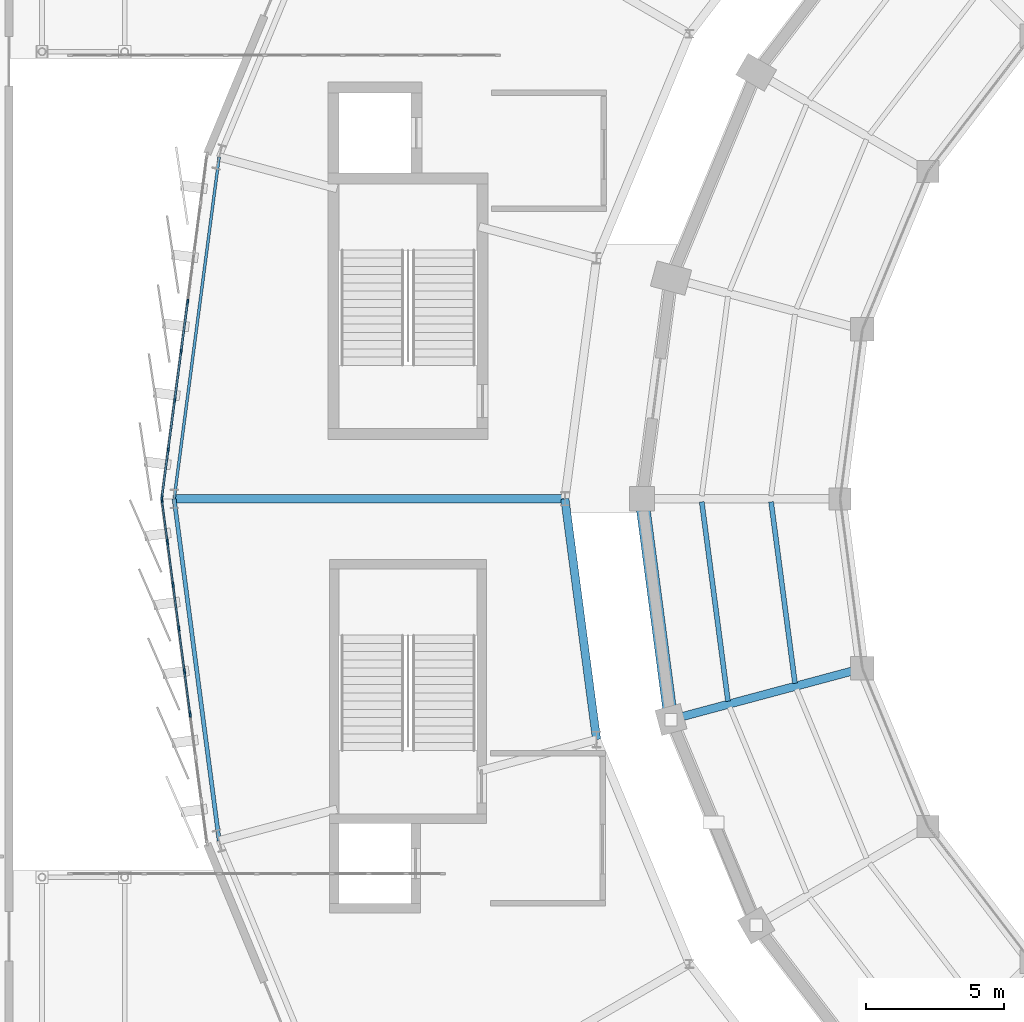
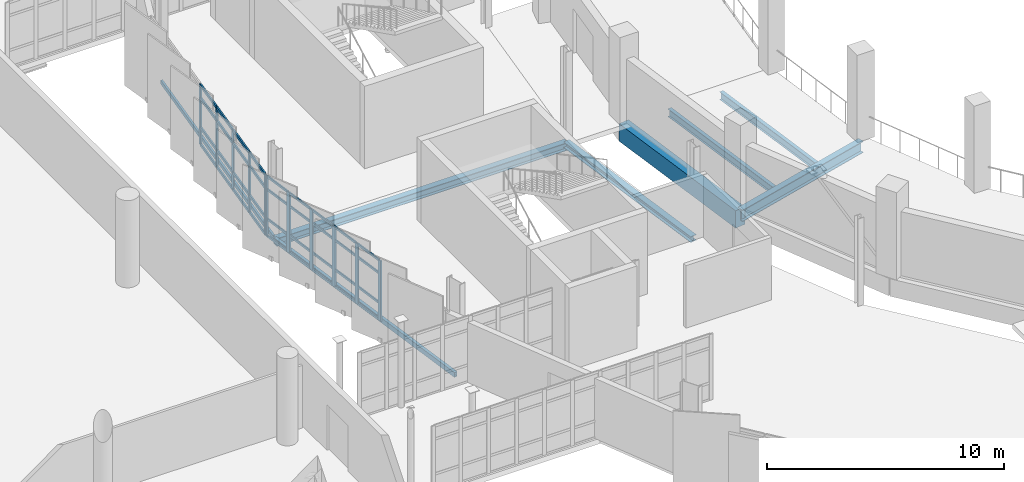
# One storey, part 48 of 125: 47 members, 8 beams, 2 elements without a shape of their own.
"""IFC4 building model written with IfcOpenShell, lengths in metres."""

from ifc_helpers import new_model, si_unit, direction, frame, origin, origin_2d, place, context, subcontext, project, spatial, rectangle, hollow_rectangle, i_section, extrude, material, layer, layer_set, material_profile, profile_set, type_object, element, aggregate, save


model = new_model("IFC4")

# Units and contexts
model_context = context("Model", 3, precision=1e-05, world=origin(), true_north=direction((0.0, 1.0)))
body_context = subcontext(model_context, "Body", "Model", "MODEL_VIEW")
ifc_project = project(units=[si_unit("LENGTHUNIT", "METRE"), si_unit("AREAUNIT", "SQUARE_METRE"), si_unit("VOLUMEUNIT", "CUBIC_METRE"), si_unit("PLANEANGLEUNIT", "RADIAN"), si_unit("MASSUNIT", "GRAM", prefix="KILO")], contexts=[model_context])

# Site, building, storey
site_placement = place(None, origin())
site = spatial("IfcSite", under=ifc_project, at=site_placement, CompositionType="ELEMENT")
building_placement = place(site_placement, origin())
building = spatial("IfcBuilding", under=site, at=building_placement, Name="Sohan Crest Arena", CompositionType="ELEMENT")
storey_placement = place(building_placement, frame((0.0, 0.0, 9.0)))
storey = spatial("IfcBuildingStorey", under=building, at=storey_placement, Name="L02", CompositionType="ELEMENT", Elevation=9.0)

# Curtain wall, members
ifc_material_1 = material(Name="Thermally broken anodised aluminium", Category="aluminium")
ifc_layer_1 = layer(ifc_material_1, 0.2099609375, Name="Thermally broken anodised aluminium")
ifc_layer_set_1 = layer_set([ifc_layer_1], Name="Thermally broken anodised aluminium")
curtain_wall_type_1 = type_object("IfcCurtainWallType", Name="ARC-CW06", PredefinedType="NOTDEFINED", material=ifc_layer_set_1)
curtain_wall_1_placement = place(storey_placement, origin())
curtain_wall_1 = element("IfcCurtainWall", 1, at=curtain_wall_1_placement, inside=storey, type_object=curtain_wall_type_1, Name="Unitised curtain wall CW-054", PredefinedType="NOTDEFINED")
ifc_material_profile_1 = material_profile(ifc_material_1, rectangle(XDim=0.06494140625, YDim=0.179931640625, at=origin_2d()), Name="ALU-MULL 65x180")
ifc_profile_set_1 = profile_set([ifc_material_profile_1], Name="Thermally broken anodised aluminium")
member_type_1 = type_object("IfcMemberType", Name="ARC-CW-ML02", PredefinedType="MULLION", material=ifc_profile_set_1)
member_1_placement = place(storey_placement, frame((50.493408203125, 85.165771484375, 0.0), z_axis=(0.0, 0.0, 1.0), x_axis=(0.991444066575, -0.130532229177, 0.0)))
member_1 = element("IfcMember", 2, at=member_1_placement, type_object=member_type_1, Name="CW-054 mullion 4", PredefinedType="MULLION", context=body_context, shape_type="SweptSolid", body=[
    extrude(rectangle(XDim=0.06494140625, YDim=0.179931640625, at=origin_2d()), origin(), (0.0, 0.0, 1.0), 3.1201171875),
])
member_2_placement = place(storey_placement, frame((50.257568359375, 83.374267578125, 0.0), z_axis=(0.0, 0.0, 1.0), x_axis=(0.991444066575, -0.130532229177, 0.0)))
member_2 = element("IfcMember", 3, at=member_2_placement, type_object=member_type_1, Name="CW-054 mullion 5", PredefinedType="MULLION", context=body_context, shape_type="SweptSolid", body=[
    extrude(rectangle(XDim=0.06494140625, YDim=0.179931640625, at=origin_2d()), origin(), (0.0, 0.0, 1.0), 3.1201171875),
])
member_3_placement = place(storey_placement, frame((50.021728515625, 81.582763671875, 0.0), z_axis=(0.0, 0.0, 1.0), x_axis=(0.991444066575, -0.130532229177, 0.0)))
member_3 = element("IfcMember", 4, at=member_3_placement, type_object=member_type_1, Name="CW-054 mullion 6", PredefinedType="MULLION", context=body_context, shape_type="SweptSolid", body=[
    extrude(rectangle(XDim=0.06494140625, YDim=0.179931640625, at=origin_2d()), origin(), (0.0, 0.0, 1.0), 3.1201171875),
])
member_4_placement = place(storey_placement, frame((49.785888671875, 79.79150390625, 0.0), z_axis=(0.0, 0.0, 1.0), x_axis=(0.991444066575, -0.130532229177, 0.0)))
member_4 = element("IfcMember", 5, at=member_4_placement, type_object=member_type_1, Name="CW-054 mullion 7", PredefinedType="MULLION", context=body_context, shape_type="SweptSolid", body=[
    extrude(rectangle(XDim=0.06494140625, YDim=0.179931640625, at=origin_2d()), origin(), (0.0, 0.0, 1.0), 3.1201171875),
])
member_5_placement = place(storey_placement, frame((49.55419921875, 78.0322265625, 0.0), z_axis=(0.0, 0.0, 1.0), x_axis=(0.991444066575, -0.130532229177, 0.0)))
member_5 = element("IfcMember", 6, at=member_5_placement, type_object=member_type_1, Name="CW-054 mullion 8", PredefinedType="MULLION", context=body_context, shape_type="SweptSolid", body=[
    extrude(rectangle(XDim=0.06494140625, YDim=0.179931640625, at=origin_2d()), origin(), (0.0, 0.0, 1.0), 3.1201171875),
])

ifc_layer_2 = layer(ifc_material_1, 0.179931640625, Name="Thermally broken anodised aluminium")
ifc_layer_set_2 = layer_set([ifc_layer_2], Name="Thermally broken anodised aluminium")
curtain_wall_type_2 = type_object("IfcCurtainWallType", Name="ARC-CW01", PredefinedType="NOTDEFINED", material=ifc_layer_set_2)
curtain_wall_2_placement = place(storey_placement, origin())
curtain_wall_2 = element("IfcCurtainWall", 7, at=curtain_wall_2_placement, inside=storey, type_object=curtain_wall_type_2, Name="Unitised curtain wall CW-055", PredefinedType="NOTDEFINED")
ifc_material_profile_2 = material_profile(ifc_material_1, rectangle(XDim=0.070068359375, YDim=0.199951171875, at=origin_2d()), Name="ALU-MULL 70x200")
ifc_profile_set_2 = profile_set([ifc_material_profile_2], Name="Thermally broken anodised aluminium")
member_type_2 = type_object("IfcMemberType", Name="ARC-CW-ML03", PredefinedType="MULLION", material=ifc_profile_set_2)
member_6_placement = place(storey_placement, frame((49.5546875, 77.96533203125, 0.0), z_axis=(0.0, 0.0, 1.0), x_axis=(0.991444066575, 0.130532229177, 0.0)))
member_6 = element("IfcMember", 8, at=member_6_placement, type_object=member_type_2, Name="CW-055 mullion 1", PredefinedType="MULLION", context=body_context, shape_type="SweptSolid", body=[
    extrude(rectangle(XDim=0.070068359375, YDim=0.199951171875, at=origin_2d()), origin(), (0.0, 0.0, 1.0), 3.1201171875),
])
member_7_placement = place(storey_placement, frame((49.75634765625, 76.4326171875, 0.0), z_axis=(0.0, 0.0, 1.0), x_axis=(0.991444066575, 0.130532229177, 0.0)))
member_7 = element("IfcMember", 9, at=member_7_placement, type_object=member_type_2, Name="CW-055 mullion 2", PredefinedType="MULLION", context=body_context, shape_type="SweptSolid", body=[
    extrude(rectangle(XDim=0.070068359375, YDim=0.199951171875, at=origin_2d()), origin(), (0.0, 0.0, 1.0), 3.1201171875),
])
member_8_placement = place(storey_placement, frame((49.962646484375, 74.864990234375, 0.0), z_axis=(0.0, 0.0, 1.0), x_axis=(0.991444066575, 0.130532229177, 0.0)))
member_8 = element("IfcMember", 10, at=member_8_placement, type_object=member_type_2, Name="CW-055 mullion 3", PredefinedType="MULLION", context=body_context, shape_type="SweptSolid", body=[
    extrude(rectangle(XDim=0.070068359375, YDim=0.199951171875, at=origin_2d()), origin(), (0.0, 0.0, 1.0), 3.1201171875),
])
member_9_placement = place(storey_placement, frame((50.169189453125, 73.297607421875, 0.0), z_axis=(0.0, 0.0, 1.0), x_axis=(0.991444066575, 0.130532229177, 0.0)))
member_9 = element("IfcMember", 11, at=member_9_placement, type_object=member_type_2, Name="CW-055 mullion 4", PredefinedType="MULLION", context=body_context, shape_type="SweptSolid", body=[
    extrude(rectangle(XDim=0.070068359375, YDim=0.199951171875, at=origin_2d()), origin(), (0.0, 0.0, 1.0), 3.1201171875),
])
member_10_placement = place(storey_placement, frame((50.37548828125, 71.72998046875, 0.0), z_axis=(0.0, 0.0, 1.0), x_axis=(0.991444066575, 0.130532229177, 0.0)))
member_10 = element("IfcMember", 12, at=member_10_placement, type_object=member_type_2, Name="CW-055 mullion 5", PredefinedType="MULLION", context=body_context, shape_type="SweptSolid", body=[
    extrude(rectangle(XDim=0.070068359375, YDim=0.199951171875, at=origin_2d()), origin(), (0.0, 0.0, 1.0), 3.1201171875),
])
member_11_placement = place(storey_placement, frame((50.581787109375, 70.16259765625, 0.0), z_axis=(0.0, 0.0, 1.0), x_axis=(0.991444066575, 0.130532229177, 0.0)))
member_11 = element("IfcMember", 13, at=member_11_placement, type_object=member_type_2, Name="CW-055 mullion 6", PredefinedType="MULLION", context=body_context, shape_type="SweptSolid", body=[
    extrude(rectangle(XDim=0.070068359375, YDim=0.199951171875, at=origin_2d()), origin(), (0.0, 0.0, 1.0), 3.1201171875),
])
ifc_material_profile_3 = material_profile(ifc_material_1, rectangle(XDim=0.06005859375, YDim=0.1201171875, at=origin_2d()), Name="ALU-TRAN 60x120")
ifc_profile_set_3 = profile_set([ifc_material_profile_3], Name="Thermally broken anodised aluminium")
member_type_3 = type_object("IfcMemberType", Name="ARC-CW-TR01", PredefinedType="USERDEFINED", material=ifc_profile_set_3)
member_12_placement = place(storey_placement, frame((49.55908203125, 77.9306640625, 0.030029296875), z_axis=(0.130505857147, -0.991447538325, 0.0), x_axis=(0.991447538325, 0.130505857147, 0.0)))
member_12 = element("IfcMember", 14, at=member_12_placement, type_object=member_type_3, Name="CW-055 transom 1.1", ObjectType="TRANSOM", PredefinedType="USERDEFINED", context=body_context, shape_type="SweptSolid", body=[
    extrude(rectangle(XDim=0.06005859375, YDim=0.1201171875, at=origin_2d()), origin(), (0.0, 0.0, 1.0), 1.47607421875),
])
member_13_placement = place(storey_placement, frame((49.55908203125, 77.9306640625, 0.89990234375), z_axis=(0.130505857147, -0.991447538325, 0.0), x_axis=(0.991447538325, 0.130505857147, 0.0)))
member_13 = element("IfcMember", 15, at=member_13_placement, type_object=member_type_3, Name="CW-055 transom 1.2", ObjectType="TRANSOM", PredefinedType="USERDEFINED", context=body_context, shape_type="SweptSolid", body=[
    extrude(rectangle(XDim=0.06005859375, YDim=0.1201171875, at=origin_2d()), origin(), (0.0, 0.0, 1.0), 1.47607421875),
])
member_14_placement = place(storey_placement, frame((49.55908203125, 77.9306640625, 2.419921875), z_axis=(0.130505857147, -0.991447538325, 0.0), x_axis=(0.991447538325, 0.130505857147, 0.0)))
member_14 = element("IfcMember", 16, at=member_14_placement, type_object=member_type_3, Name="CW-055 transom 1.3", ObjectType="TRANSOM", PredefinedType="USERDEFINED", context=body_context, shape_type="SweptSolid", body=[
    extrude(rectangle(XDim=0.06005859375, YDim=0.1201171875, at=origin_2d()), origin(), (0.0, 0.0, 1.0), 1.47607421875),
])
member_15_placement = place(storey_placement, frame((49.55908203125, 77.9306640625, 3.090087890625), z_axis=(0.130505857147, -0.991447538325, 0.0), x_axis=(0.991447538325, 0.130505857147, 0.0)))
member_15 = element("IfcMember", 17, at=member_15_placement, type_object=member_type_3, Name="CW-055 transom 1.4", ObjectType="TRANSOM", PredefinedType="USERDEFINED", context=body_context, shape_type="SweptSolid", body=[
    extrude(rectangle(XDim=0.06005859375, YDim=0.1201171875, at=origin_2d()), origin(), (0.0, 0.0, 1.0), 1.47607421875),
])
member_16_placement = place(storey_placement, frame((49.760986328125, 76.397705078125, 0.030029296875), z_axis=(0.1305548243, -0.991441091468, 0.0), x_axis=(0.991441091468, 0.1305548243, 0.0)))
member_16 = element("IfcMember", 18, at=member_16_placement, type_object=member_type_3, Name="CW-055 transom 2.1", ObjectType="TRANSOM", PredefinedType="USERDEFINED", context=body_context, shape_type="SweptSolid", body=[
    extrude(rectangle(XDim=0.06005859375, YDim=0.1201171875, at=origin_2d()), origin(), (0.0, 0.0, 1.0), 1.510986328125),
])
member_17_placement = place(storey_placement, frame((49.760986328125, 76.397705078125, 0.89990234375), z_axis=(0.1305548243, -0.991441091468, 0.0), x_axis=(0.991441091468, 0.1305548243, 0.0)))
member_17 = element("IfcMember", 19, at=member_17_placement, type_object=member_type_3, Name="CW-055 transom 2.2", ObjectType="TRANSOM", PredefinedType="USERDEFINED", context=body_context, shape_type="SweptSolid", body=[
    extrude(rectangle(XDim=0.06005859375, YDim=0.1201171875, at=origin_2d()), origin(), (0.0, 0.0, 1.0), 1.510986328125),
])
member_18_placement = place(storey_placement, frame((49.760986328125, 76.397705078125, 2.419921875), z_axis=(0.1305548243, -0.991441091468, 0.0), x_axis=(0.991441091468, 0.1305548243, 0.0)))
member_18 = element("IfcMember", 20, at=member_18_placement, type_object=member_type_3, Name="CW-055 transom 2.3", ObjectType="TRANSOM", PredefinedType="USERDEFINED", context=body_context, shape_type="SweptSolid", body=[
    extrude(rectangle(XDim=0.06005859375, YDim=0.1201171875, at=origin_2d()), origin(), (0.0, 0.0, 1.0), 1.510986328125),
])
member_19_placement = place(storey_placement, frame((49.760986328125, 76.397705078125, 3.090087890625), z_axis=(0.1305548243, -0.991441091468, 0.0), x_axis=(0.991441091468, 0.1305548243, 0.0)))
member_19 = element("IfcMember", 21, at=member_19_placement, type_object=member_type_3, Name="CW-055 transom 2.4", ObjectType="TRANSOM", PredefinedType="USERDEFINED", context=body_context, shape_type="SweptSolid", body=[
    extrude(rectangle(XDim=0.06005859375, YDim=0.1201171875, at=origin_2d()), origin(), (0.0, 0.0, 1.0), 1.510986328125),
])
member_20_placement = place(storey_placement, frame((49.96728515625, 74.830322265625, 0.030029296875), z_axis=(0.1305548243, -0.991441091468, 0.0), x_axis=(0.991441091468, 0.1305548243, 0.0)))
member_20 = element("IfcMember", 22, at=member_20_placement, type_object=member_type_3, Name="CW-055 transom 3.1", ObjectType="TRANSOM", PredefinedType="USERDEFINED", context=body_context, shape_type="SweptSolid", body=[
    extrude(rectangle(XDim=0.06005859375, YDim=0.1201171875, at=origin_2d()), origin(), (0.0, 0.0, 1.0), 1.510986328125),
])
member_21_placement = place(storey_placement, frame((49.96728515625, 74.830322265625, 0.89990234375), z_axis=(0.1305548243, -0.991441091468, 0.0), x_axis=(0.991441091468, 0.1305548243, 0.0)))
member_21 = element("IfcMember", 23, at=member_21_placement, type_object=member_type_3, Name="CW-055 transom 3.2", ObjectType="TRANSOM", PredefinedType="USERDEFINED", context=body_context, shape_type="SweptSolid", body=[
    extrude(rectangle(XDim=0.06005859375, YDim=0.1201171875, at=origin_2d()), origin(), (0.0, 0.0, 1.0), 1.510986328125),
])
member_22_placement = place(storey_placement, frame((49.96728515625, 74.830322265625, 2.419921875), z_axis=(0.1305548243, -0.991441091468, 0.0), x_axis=(0.991441091468, 0.1305548243, 0.0)))
member_22 = element("IfcMember", 24, at=member_22_placement, type_object=member_type_3, Name="CW-055 transom 3.3", ObjectType="TRANSOM", PredefinedType="USERDEFINED", context=body_context, shape_type="SweptSolid", body=[
    extrude(rectangle(XDim=0.06005859375, YDim=0.1201171875, at=origin_2d()), origin(), (0.0, 0.0, 1.0), 1.510986328125),
])
member_23_placement = place(storey_placement, frame((49.96728515625, 74.830322265625, 3.090087890625), z_axis=(0.1305548243, -0.991441091468, 0.0), x_axis=(0.991441091468, 0.1305548243, 0.0)))
member_23 = element("IfcMember", 25, at=member_23_placement, type_object=member_type_3, Name="CW-055 transom 3.4", ObjectType="TRANSOM", PredefinedType="USERDEFINED", context=body_context, shape_type="SweptSolid", body=[
    extrude(rectangle(XDim=0.06005859375, YDim=0.1201171875, at=origin_2d()), origin(), (0.0, 0.0, 1.0), 1.510986328125),
])
member_24_placement = place(storey_placement, frame((50.173583984375, 73.2626953125, 0.030029296875), z_axis=(0.1305548243, -0.991441091468, 0.0), x_axis=(0.991441091468, 0.1305548243, 0.0)))
member_24 = element("IfcMember", 26, at=member_24_placement, type_object=member_type_3, Name="CW-055 transom 4.1", ObjectType="TRANSOM", PredefinedType="USERDEFINED", context=body_context, shape_type="SweptSolid", body=[
    extrude(rectangle(XDim=0.06005859375, YDim=0.1201171875, at=origin_2d()), origin(), (0.0, 0.0, 1.0), 1.510986328125),
])
member_25_placement = place(storey_placement, frame((50.173583984375, 73.2626953125, 0.89990234375), z_axis=(0.1305548243, -0.991441091468, 0.0), x_axis=(0.991441091468, 0.1305548243, 0.0)))
member_25 = element("IfcMember", 27, at=member_25_placement, type_object=member_type_3, Name="CW-055 transom 4.2", ObjectType="TRANSOM", PredefinedType="USERDEFINED", context=body_context, shape_type="SweptSolid", body=[
    extrude(rectangle(XDim=0.06005859375, YDim=0.1201171875, at=origin_2d()), origin(), (0.0, 0.0, 1.0), 1.510986328125),
])
member_26_placement = place(storey_placement, frame((50.173583984375, 73.2626953125, 2.419921875), z_axis=(0.1305548243, -0.991441091468, 0.0), x_axis=(0.991441091468, 0.1305548243, 0.0)))
member_26 = element("IfcMember", 28, at=member_26_placement, type_object=member_type_3, Name="CW-055 transom 4.3", ObjectType="TRANSOM", PredefinedType="USERDEFINED", context=body_context, shape_type="SweptSolid", body=[
    extrude(rectangle(XDim=0.06005859375, YDim=0.1201171875, at=origin_2d()), origin(), (0.0, 0.0, 1.0), 1.510986328125),
])
member_27_placement = place(storey_placement, frame((50.173583984375, 73.2626953125, 3.090087890625), z_axis=(0.1305548243, -0.991441091468, 0.0), x_axis=(0.991441091468, 0.1305548243, 0.0)))
member_27 = element("IfcMember", 29, at=member_27_placement, type_object=member_type_3, Name="CW-055 transom 4.4", ObjectType="TRANSOM", PredefinedType="USERDEFINED", context=body_context, shape_type="SweptSolid", body=[
    extrude(rectangle(XDim=0.06005859375, YDim=0.1201171875, at=origin_2d()), origin(), (0.0, 0.0, 1.0), 1.510986328125),
])
member_28_placement = place(storey_placement, frame((50.380126953125, 71.6953125, 0.030029296875), z_axis=(0.1305548243, -0.991441091468, 0.0), x_axis=(0.991441091468, 0.1305548243, 0.0)))
member_28 = element("IfcMember", 30, at=member_28_placement, type_object=member_type_3, Name="CW-055 transom 5.1", ObjectType="TRANSOM", PredefinedType="USERDEFINED", context=body_context, shape_type="SweptSolid", body=[
    extrude(rectangle(XDim=0.06005859375, YDim=0.1201171875, at=origin_2d()), origin(), (0.0, 0.0, 1.0), 1.510986328125),
])
member_29_placement = place(storey_placement, frame((50.380126953125, 71.6953125, 0.89990234375), z_axis=(0.1305548243, -0.991441091468, 0.0), x_axis=(0.991441091468, 0.1305548243, 0.0)))
member_29 = element("IfcMember", 31, at=member_29_placement, type_object=member_type_3, Name="CW-055 transom 5.2", ObjectType="TRANSOM", PredefinedType="USERDEFINED", context=body_context, shape_type="SweptSolid", body=[
    extrude(rectangle(XDim=0.06005859375, YDim=0.1201171875, at=origin_2d()), origin(), (0.0, 0.0, 1.0), 1.510986328125),
])
member_30_placement = place(storey_placement, frame((50.380126953125, 71.6953125, 2.419921875), z_axis=(0.1305548243, -0.991441091468, 0.0), x_axis=(0.991441091468, 0.1305548243, 0.0)))
member_30 = element("IfcMember", 32, at=member_30_placement, type_object=member_type_3, Name="CW-055 transom 5.3", ObjectType="TRANSOM", PredefinedType="USERDEFINED", context=body_context, shape_type="SweptSolid", body=[
    extrude(rectangle(XDim=0.06005859375, YDim=0.1201171875, at=origin_2d()), origin(), (0.0, 0.0, 1.0), 1.510986328125),
])
member_31_placement = place(storey_placement, frame((50.380126953125, 71.6953125, 3.090087890625), z_axis=(0.1305548243, -0.991441091468, 0.0), x_axis=(0.991441091468, 0.1305548243, 0.0)))
member_31 = element("IfcMember", 33, at=member_31_placement, type_object=member_type_3, Name="CW-055 transom 5.4", ObjectType="TRANSOM", PredefinedType="USERDEFINED", context=body_context, shape_type="SweptSolid", body=[
    extrude(rectangle(XDim=0.06005859375, YDim=0.1201171875, at=origin_2d()), origin(), (0.0, 0.0, 1.0), 1.510986328125),
])
aggregate(curtain_wall_2, [member_6, member_7, member_8, member_9, member_10, member_11, member_12, member_13, member_14, member_15, member_16, member_17, member_18, member_19, member_20, member_21, member_22, member_23, member_24, member_25, member_26, member_27, member_28, member_29, member_30, member_31])

# Member
ifc_material_profile_4 = material_profile(ifc_material_1, rectangle(XDim=0.070068359375, YDim=0.14990234375, at=origin_2d()), Name="ALU-TRAN 70x150")
ifc_profile_set_4 = profile_set([ifc_material_profile_4], Name="Thermally broken anodised aluminium")
member_type_4 = type_object("IfcMemberType", Name="ARC-CW-TR03", PredefinedType="USERDEFINED", material=ifc_profile_set_4)
member_32_placement = place(storey_placement, frame((50.4892578125, 85.133544921875, 0.034912109375), z_axis=(-0.130621280622, -0.991432338109, 0.0), x_axis=(0.991432338109, -0.130621280622, 0.0)))
member_32 = element("IfcMember", 34, at=member_32_placement, type_object=member_type_4, Name="CW-054 transom 4.1", ObjectType="TRANSOM", PredefinedType="USERDEFINED", context=body_context, shape_type="SweptSolid", body=[
    extrude(rectangle(XDim=0.070068359375, YDim=0.14990234375, at=origin_2d()), origin(), (0.0, 0.0, 1.0), 1.741943359375),
])

member_33_placement = place(storey_placement, frame((50.4892578125, 85.133544921875, 0.89990234375), z_axis=(-0.130621280622, -0.991432338109, 0.0), x_axis=(0.991432338109, -0.130621280622, 0.0)))
member_33 = element("IfcMember", 35, at=member_33_placement, type_object=member_type_4, Name="CW-054 transom 4.2", ObjectType="TRANSOM", PredefinedType="USERDEFINED", context=body_context, shape_type="SweptSolid", body=[
    extrude(rectangle(XDim=0.070068359375, YDim=0.14990234375, at=origin_2d()), origin(), (0.0, 0.0, 1.0), 1.741943359375),
])

member_34_placement = place(storey_placement, frame((50.4892578125, 85.133544921875, 2.419921875), z_axis=(-0.130621280622, -0.991432338109, 0.0), x_axis=(0.991432338109, -0.130621280622, 0.0)))
member_34 = element("IfcMember", 36, at=member_34_placement, type_object=member_type_4, Name="CW-054 transom 4.3", ObjectType="TRANSOM", PredefinedType="USERDEFINED", context=body_context, shape_type="SweptSolid", body=[
    extrude(rectangle(XDim=0.070068359375, YDim=0.14990234375, at=origin_2d()), origin(), (0.0, 0.0, 1.0), 1.741943359375),
])

member_35_placement = place(storey_placement, frame((50.4892578125, 85.133544921875, 3.0849609375), z_axis=(-0.130621280622, -0.991432338109, 0.0), x_axis=(0.991432338109, -0.130621280622, 0.0)))
member_35 = element("IfcMember", 37, at=member_35_placement, type_object=member_type_4, Name="CW-054 transom 4.4", ObjectType="TRANSOM", PredefinedType="USERDEFINED", context=body_context, shape_type="SweptSolid", body=[
    extrude(rectangle(XDim=0.070068359375, YDim=0.14990234375, at=origin_2d()), origin(), (0.0, 0.0, 1.0), 1.741943359375),
])

member_36_placement = place(storey_placement, frame((50.25341796875, 83.342041015625, 0.034912109375), z_axis=(-0.130621280622, -0.991432338109, 0.0), x_axis=(0.991432338109, -0.130621280622, 0.0)))
member_36 = element("IfcMember", 38, at=member_36_placement, type_object=member_type_4, Name="CW-054 transom 5.1", ObjectType="TRANSOM", PredefinedType="USERDEFINED", context=body_context, shape_type="SweptSolid", body=[
    extrude(rectangle(XDim=0.070068359375, YDim=0.14990234375, at=origin_2d()), origin(), (0.0, 0.0, 1.0), 1.741943359375),
])

member_37_placement = place(storey_placement, frame((50.25341796875, 83.342041015625, 0.89990234375), z_axis=(-0.130621280622, -0.991432338109, 0.0), x_axis=(0.991432338109, -0.130621280622, 0.0)))
member_37 = element("IfcMember", 39, at=member_37_placement, type_object=member_type_4, Name="CW-054 transom 5.2", ObjectType="TRANSOM", PredefinedType="USERDEFINED", context=body_context, shape_type="SweptSolid", body=[
    extrude(rectangle(XDim=0.070068359375, YDim=0.14990234375, at=origin_2d()), origin(), (0.0, 0.0, 1.0), 1.741943359375),
])

member_38_placement = place(storey_placement, frame((50.25341796875, 83.342041015625, 2.419921875), z_axis=(-0.130621280622, -0.991432338109, 0.0), x_axis=(0.991432338109, -0.130621280622, 0.0)))
member_38 = element("IfcMember", 40, at=member_38_placement, type_object=member_type_4, Name="CW-054 transom 5.3", ObjectType="TRANSOM", PredefinedType="USERDEFINED", context=body_context, shape_type="SweptSolid", body=[
    extrude(rectangle(XDim=0.070068359375, YDim=0.14990234375, at=origin_2d()), origin(), (0.0, 0.0, 1.0), 1.741943359375),
])

member_39_placement = place(storey_placement, frame((50.25341796875, 83.342041015625, 3.0849609375), z_axis=(-0.130621280622, -0.991432338109, 0.0), x_axis=(0.991432338109, -0.130621280622, 0.0)))
member_39 = element("IfcMember", 41, at=member_39_placement, type_object=member_type_4, Name="CW-054 transom 5.4", ObjectType="TRANSOM", PredefinedType="USERDEFINED", context=body_context, shape_type="SweptSolid", body=[
    extrude(rectangle(XDim=0.070068359375, YDim=0.14990234375, at=origin_2d()), origin(), (0.0, 0.0, 1.0), 1.741943359375),
])

member_40_placement = place(storey_placement, frame((50.017578125, 81.550537109375, 0.034912109375), z_axis=(-0.130639433056, -0.991429946356, 0.0), x_axis=(0.991429946356, -0.130639433056, 0.0)))
member_40 = element("IfcMember", 42, at=member_40_placement, type_object=member_type_4, Name="CW-054 transom 6.1", ObjectType="TRANSOM", PredefinedType="USERDEFINED", context=body_context, shape_type="SweptSolid", body=[
    extrude(rectangle(XDim=0.070068359375, YDim=0.14990234375, at=origin_2d()), origin(), (0.0, 0.0, 1.0), 1.74169921875),
])

member_41_placement = place(storey_placement, frame((50.017578125, 81.550537109375, 0.89990234375), z_axis=(-0.130639433056, -0.991429946356, 0.0), x_axis=(0.991429946356, -0.130639433056, 0.0)))
member_41 = element("IfcMember", 43, at=member_41_placement, type_object=member_type_4, Name="CW-054 transom 6.2", ObjectType="TRANSOM", PredefinedType="USERDEFINED", context=body_context, shape_type="SweptSolid", body=[
    extrude(rectangle(XDim=0.070068359375, YDim=0.14990234375, at=origin_2d()), origin(), (0.0, 0.0, 1.0), 1.74169921875),
])

member_42_placement = place(storey_placement, frame((50.017578125, 81.550537109375, 2.419921875), z_axis=(-0.130639433056, -0.991429946356, 0.0), x_axis=(0.991429946356, -0.130639433056, 0.0)))
member_42 = element("IfcMember", 44, at=member_42_placement, type_object=member_type_4, Name="CW-054 transom 6.3", ObjectType="TRANSOM", PredefinedType="USERDEFINED", context=body_context, shape_type="SweptSolid", body=[
    extrude(rectangle(XDim=0.070068359375, YDim=0.14990234375, at=origin_2d()), origin(), (0.0, 0.0, 1.0), 1.74169921875),
])

member_43_placement = place(storey_placement, frame((50.017578125, 81.550537109375, 3.0849609375), z_axis=(-0.130639433056, -0.991429946356, 0.0), x_axis=(0.991429946356, -0.130639433056, 0.0)))
member_43 = element("IfcMember", 45, at=member_43_placement, type_object=member_type_4, Name="CW-054 transom 6.4", ObjectType="TRANSOM", PredefinedType="USERDEFINED", context=body_context, shape_type="SweptSolid", body=[
    extrude(rectangle(XDim=0.070068359375, YDim=0.14990234375, at=origin_2d()), origin(), (0.0, 0.0, 1.0), 1.74169921875),
])

member_44_placement = place(storey_placement, frame((49.781494140625, 79.75927734375, 0.034912109375), z_axis=(-0.130395400663, -0.991462071633, 0.0), x_axis=(0.991462071633, -0.130395400663, 0.0)))
member_44 = element("IfcMember", 46, at=member_44_placement, type_object=member_type_4, Name="CW-054 transom 7.1", ObjectType="TRANSOM", PredefinedType="USERDEFINED", context=body_context, shape_type="SweptSolid", body=[
    extrude(rectangle(XDim=0.070068359375, YDim=0.14990234375, at=origin_2d()), origin(), (0.0, 0.0, 1.0), 1.70947265625),
])

member_45_placement = place(storey_placement, frame((49.781494140625, 79.75927734375, 0.89990234375), z_axis=(-0.130395400663, -0.991462071633, 0.0), x_axis=(0.991462071633, -0.130395400663, 0.0)))
member_45 = element("IfcMember", 47, at=member_45_placement, type_object=member_type_4, Name="CW-054 transom 7.2", ObjectType="TRANSOM", PredefinedType="USERDEFINED", context=body_context, shape_type="SweptSolid", body=[
    extrude(rectangle(XDim=0.070068359375, YDim=0.14990234375, at=origin_2d()), origin(), (0.0, 0.0, 1.0), 1.70947265625),
])

member_46_placement = place(storey_placement, frame((49.781494140625, 79.75927734375, 2.419921875), z_axis=(-0.130395400663, -0.991462071633, 0.0), x_axis=(0.991462071633, -0.130395400663, 0.0)))
member_46 = element("IfcMember", 48, at=member_46_placement, type_object=member_type_4, Name="CW-054 transom 7.3", ObjectType="TRANSOM", PredefinedType="USERDEFINED", context=body_context, shape_type="SweptSolid", body=[
    extrude(rectangle(XDim=0.070068359375, YDim=0.14990234375, at=origin_2d()), origin(), (0.0, 0.0, 1.0), 1.70947265625),
])

member_47_placement = place(storey_placement, frame((49.781494140625, 79.75927734375, 3.0849609375), z_axis=(-0.130395400663, -0.991462071633, 0.0), x_axis=(0.991462071633, -0.130395400663, 0.0)))
member_47 = element("IfcMember", 49, at=member_47_placement, type_object=member_type_4, Name="CW-054 transom 7.4", ObjectType="TRANSOM", PredefinedType="USERDEFINED", context=body_context, shape_type="SweptSolid", body=[
    extrude(rectangle(XDim=0.070068359375, YDim=0.14990234375, at=origin_2d()), origin(), (0.0, 0.0, 1.0), 1.70947265625),
])

aggregate(curtain_wall_1, [member_1, member_2, member_3, member_4, member_5, member_32, member_33, member_34, member_35, member_36, member_37, member_38, member_39, member_40, member_41, member_42, member_43, member_44, member_45, member_46, member_47])

# Beams
ifc_material_2 = material(Name="Steel S355", Category="steel")
ifc_material_profile_5 = material_profile(ifc_material_2, i_section(OverallWidth=0.179931640625, OverallDepth=0.39990234375, WebThickness=0.008544921875, FlangeThickness=0.013427734375, at=origin_2d()), Name="IPE 400")
ifc_profile_set_5 = profile_set([ifc_material_profile_5], Name="Steel S355")
beam_type_1 = type_object("IfcBeamType", Name="STR-BM-B03", PredefinedType="JOIST", material=ifc_profile_set_5)
beam_1_placement = place(storey_placement, frame((71.694091796875, 77.89111328125, -0.449951171875), z_axis=(0.130641570465, -0.99142966471, 0.0), x_axis=(0.99142966471, 0.130641570465, 0.0)))
element("IfcBeam", 50, at=beam_1_placement, inside=storey, type_object=beam_type_1, Name="Structural beam J-L02-0204", PredefinedType="JOIST", context=body_context, shape_type="SweptSolid", body=[
    extrude(i_section(OverallWidth=0.179931640625, OverallDepth=0.39990234375, WebThickness=0.008544921875, FlangeThickness=0.013427734375, at=origin_2d()), origin(), (0.0, 0.0, 1.0), 6.65087890625),
])
beam_2_placement = place(storey_placement, frame((69.174072265625, 77.89111328125, -0.449951171875), z_axis=(0.13051154339, -0.991446789819, 0.0), x_axis=(0.991446789819, 0.13051154339, 0.0)))
element("IfcBeam", 51, at=beam_2_placement, inside=storey, type_object=beam_type_1, Name="Structural beam J-L02-0205", PredefinedType="JOIST", context=body_context, shape_type="SweptSolid", body=[
    extrude(i_section(OverallWidth=0.179931640625, OverallDepth=0.39990234375, WebThickness=0.008544921875, FlangeThickness=0.013427734375, at=origin_2d()), origin(), (0.0, 0.0, 1.0), 7.30859375),
])
ifc_material_profile_6 = material_profile(ifc_material_2, i_section(OverallWidth=0.300048828125, OverallDepth=0.590087890625, WebThickness=0.012939453125, FlangeThickness=0.02490234375, at=origin_2d()), Name="HEA 600")
ifc_profile_set_6 = profile_set([ifc_material_profile_6], Name="Steel S355")
beam_type_2 = type_object("IfcBeamType", Name="STR-BM-B11", PredefinedType="BEAM", material=ifc_profile_set_6)
beam_3_placement = place(storey_placement, frame((75.010986328125, 71.840087890625, -0.544921875), z_axis=(-0.965945630245, -0.258745124417, 0.0), x_axis=(0.258745124417, -0.965945630245, 0.0)))
element("IfcBeam", 52, at=beam_3_placement, inside=storey, type_object=beam_type_2, Name="Structural beam G-L02-0225", PredefinedType="BEAM", context=body_context, shape_type="SweptSolid", body=[
    extrude(i_section(OverallWidth=0.300048828125, OverallDepth=0.590087890625, WebThickness=0.012939453125, FlangeThickness=0.02490234375, at=origin_2d()), origin(), (0.0, 0.0, 1.0), 7.2001953125),
])
ifc_material_profile_7 = material_profile(ifc_material_2, i_section(OverallWidth=0.300048828125, OverallDepth=0.300048828125, WebThickness=0.010986328125, FlangeThickness=0.01904296875, at=origin_2d()), Name="HEB 300")
ifc_profile_set_7 = profile_set([ifc_material_profile_7], Name="Steel S355")
beam_type_3 = type_object("IfcBeamType", Name="STR-BM-B12", PredefinedType="BEAM", material=ifc_profile_set_7)
beam_4_placement = place(storey_placement, frame((64.199951171875, 78.0, -0.39990234375), z_axis=(0.130570461953, -0.991439032147, 0.0), x_axis=(0.991439032147, 0.130570461953, 0.0)))
element("IfcBeam", 53, at=beam_4_placement, inside=storey, type_object=beam_type_3, Name="Structural beam G-L02-1270", PredefinedType="BEAM", context=body_context, shape_type="SweptSolid", body=[
    extrude(i_section(OverallWidth=0.300048828125, OverallDepth=0.300048828125, WebThickness=0.010986328125, FlangeThickness=0.01904296875, at=origin_2d()), origin(), (0.0, 0.0, 1.0), 8.823486328125),
])
ifc_material_profile_8 = material_profile(ifc_material_2, i_section(OverallWidth=0.300048828125, OverallDepth=0.39990234375, WebThickness=0.013427734375, FlangeThickness=0.02392578125, at=origin_2d()), Name="HEB 400")
ifc_profile_set_8 = profile_set([ifc_material_profile_8], Name="Steel S355")
beam_type_4 = type_object("IfcBeamType", Name="STR-BM-B13", PredefinedType="BEAM", material=ifc_profile_set_8)
beam_5_placement = place(storey_placement, frame((64.199951171875, 78.0, -0.449951171875), z_axis=(-1.0, 0.0, 0.0), x_axis=(0.0, -1.0, 0.0)))
element("IfcBeam", 54, at=beam_5_placement, inside=storey, type_object=beam_type_4, Name="Structural beam G-L02-1269", PredefinedType="BEAM", context=body_context, shape_type="SweptSolid", body=[
    extrude(i_section(OverallWidth=0.300048828125, OverallDepth=0.39990234375, WebThickness=0.013427734375, FlangeThickness=0.02392578125, at=origin_2d()), origin(), (0.0, 0.0, 1.0), 14.199951171875),
])
ifc_material_profile_9 = material_profile(ifc_material_2, hollow_rectangle(XDim=0.10009765625, YDim=0.199951171875, WallThickness=0.008056640625, at=origin_2d()), Name="RHS 200x100x8")
ifc_profile_set_9 = profile_set([ifc_material_profile_9], Name="Steel S355")
beam_type_5 = type_object("IfcBeamType", Name="STR-BM-SP01", PredefinedType="SPANDREL", material=ifc_profile_set_9)
beam_6_placement = place(storey_placement, frame((51.635986328125, 90.423095703125, -0.35009765625), z_axis=(-0.130561865783, -0.991440164207, 0.0), x_axis=(0.991440164207, -0.130561865783, 0.0)))
element("IfcBeam", 55, at=beam_6_placement, inside=storey, type_object=beam_type_5, Name="Structural beam SP-L02-1268", PredefinedType="SPANDREL", context=body_context, shape_type="SweptSolid", body=[
    extrude(hollow_rectangle(XDim=0.10009765625, YDim=0.199951171875, WallThickness=0.008056640625, at=origin_2d()), origin(), (0.0, 0.0, 1.0), 12.5302734375),
])
ifc_material_profile_10 = material_profile(ifc_material_2, hollow_rectangle(XDim=0.14990234375, YDim=0.25, WallThickness=0.010009765625, at=origin_2d()), Name="RHS 250x150x10")
ifc_profile_set_10 = profile_set([ifc_material_profile_10], Name="Steel S355")
beam_type_6 = type_object("IfcBeamType", Name="STR-BM-SP02", PredefinedType="SPANDREL", material=ifc_profile_set_10)
beam_7_placement = place(storey_placement, frame((50.0, 78.0, -0.375), z_axis=(0.130561865783, -0.991440164207, 0.0), x_axis=(0.991440164207, 0.130561865783, 0.0)))
element("IfcBeam", 56, at=beam_7_placement, inside=storey, type_object=beam_type_6, Name="Structural beam SP-L02-1271", PredefinedType="SPANDREL", context=body_context, shape_type="SweptSolid", body=[
    extrude(hollow_rectangle(XDim=0.14990234375, YDim=0.25, WallThickness=0.010009765625, at=origin_2d()), origin(), (0.0, 0.0, 1.0), 12.5302734375),
])
ifc_material_3 = material(Name="Concrete C40/50", Category="concrete")
ifc_material_profile_11 = material_profile(ifc_material_3, rectangle(XDim=0.5, YDim=0.89990234375, at=origin_2d()), Name="RC-BM 500x900")
ifc_profile_set_11 = profile_set([ifc_material_profile_11], Name="Concrete C40/50")
beam_type_7 = type_object("IfcBeamType", Name="STR-BM-TB03", PredefinedType="BEAM", material=ifc_profile_set_11)
beam_8_placement = place(storey_placement, frame((67.0, 78.0, -0.699951171875), z_axis=(0.130485730048, -0.99145018748, 0.0), x_axis=(0.99145018748, 0.130485730048, 0.0)))
element("IfcBeam", 57, at=beam_8_placement, inside=storey, type_object=beam_type_7, Name="Structural beam TB-L02-0202", PredefinedType="BEAM", context=body_context, shape_type="SweptSolid", body=[
    extrude(rectangle(XDim=0.5, YDim=0.89990234375, at=origin_2d()), origin(), (0.0, 0.0, 1.0), 8.092041015625),
])

save(model, "model.ifc")
